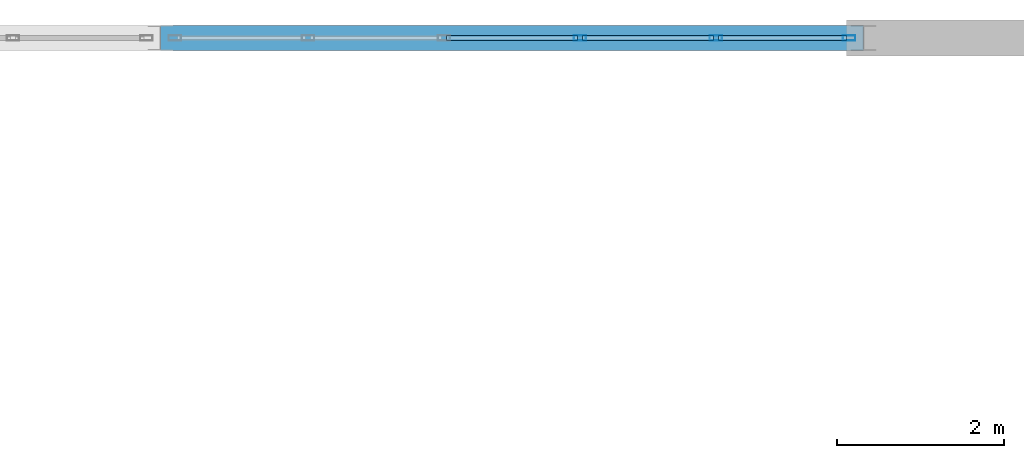
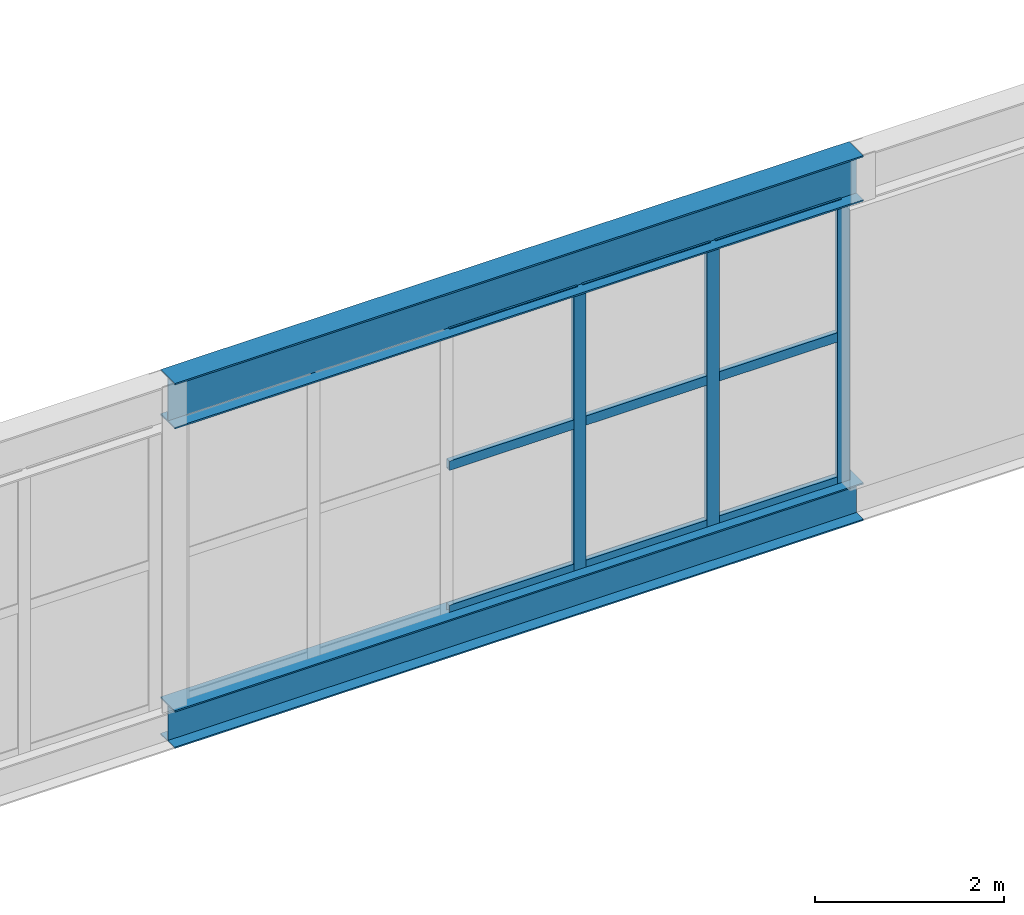
# One storey, part 167 of 218: 12 members, 2 beams, 1 element without a shape of its own.
"""IFC4 building model written with IfcOpenShell, lengths in metres."""

from ifc_helpers import new_model, si_unit, direction, frame, origin, origin_2d, place, context, subcontext, project, spatial, hollow_rectangle, i_section, extrude, material, material_profile, profile_set, type_object, element, aggregate, save


model = new_model("IFC4")

# Units and contexts
model_context = context("Model", 3, precision=1e-05, world=origin(), true_north=direction((0.0, 1.0)))
body_context = subcontext(model_context, "Body", "Model", "MODEL_VIEW")
ifc_project = project(units=[si_unit("LENGTHUNIT", "METRE"), si_unit("AREAUNIT", "SQUARE_METRE"), si_unit("VOLUMEUNIT", "CUBIC_METRE"), si_unit("PLANEANGLEUNIT", "RADIAN"), si_unit("MASSUNIT", "GRAM", prefix="KILO")], contexts=[model_context])

# Site, building, storey
site_placement = place(None, origin())
site = spatial("IfcSite", under=ifc_project, at=site_placement, CompositionType="ELEMENT")
building_placement = place(site_placement, origin())
building = spatial("IfcBuilding", under=site, at=building_placement, Name="Kazenagashi Tramway Depot", CompositionType="ELEMENT")
storey_placement = place(building_placement, frame((0.0, 0.0, 6.0)))
storey = spatial("IfcBuildingStorey", under=building, at=storey_placement, Name="L02", CompositionType="ELEMENT", Elevation=6.0)

# Curtain wall, members
ifc_material_1 = material(Name="Anodised Aluminium and Low-E Glazing", Category="aluminium")
curtain_wall_type = type_object("IfcCurtainWallType", Name="CW-15", PredefinedType="USERDEFINED", material=ifc_material_1)
curtain_wall_placement = place(storey_placement, origin())
curtain_wall = element("IfcCurtainWall", 1, at=curtain_wall_placement, inside=storey, type_object=curtain_wall_type, Name="Industrial Glazed Screen CW-15 CW-0074", ObjectType="GLAZED SCREEN", PredefinedType="USERDEFINED")
ifc_material_2 = material(Name="Anodised Aluminium", Category="aluminium")
ifc_material_profile_1 = material_profile(ifc_material_2, hollow_rectangle(XDim=0.06, YDim=0.15, WallThickness=0.004, at=origin_2d()), Name="RHS-150x60x4")
ifc_profile_set_1 = profile_set([ifc_material_profile_1], Name="Anodised Aluminium")
member_type_1 = type_object("IfcMemberType", Name="ML-01", PredefinedType="MULLION", material=ifc_profile_set_1)
member_1_placement = place(storey_placement, frame((108.612, 130.0, -0.02), z_axis=(0.0, 0.0, 1.0), x_axis=(0.0, 1.0, 0.0)))
member_1 = element("IfcMember", 2, at=member_1_placement, type_object=member_type_1, Name="CW-15 mullion 4", PredefinedType="MULLION", context=body_context, shape_type="SweptSolid", body=[
    extrude(hollow_rectangle(XDim=0.06, YDim=0.15, WallThickness=0.004, at=origin_2d()), origin(), (0.0, 0.0, 1.0), 3.632),
])
member_2_placement = place(storey_placement, frame((110.236, 130.0, -0.02), z_axis=(0.0, 0.0, 1.0), x_axis=(0.0, 1.0, 0.0)))
member_2 = element("IfcMember", 3, at=member_2_placement, type_object=member_type_1, Name="CW-15 mullion 5", PredefinedType="MULLION", context=body_context, shape_type="SweptSolid", body=[
    extrude(hollow_rectangle(XDim=0.06, YDim=0.15, WallThickness=0.004, at=origin_2d()), origin(), (0.0, 0.0, 1.0), 3.632),
])
member_3_placement = place(storey_placement, frame((111.83, 130.0, -0.02), z_axis=(0.0, 0.0, 1.0), x_axis=(0.0, 1.0, 0.0)))
member_3 = element("IfcMember", 4, at=member_3_placement, type_object=member_type_1, Name="CW-15 mullion 6", PredefinedType="MULLION", context=body_context, shape_type="SweptSolid", body=[
    extrude(hollow_rectangle(XDim=0.06, YDim=0.15, WallThickness=0.004, at=origin_2d()), origin(), (0.0, 0.0, 1.0), 3.632),
])

# Beams
ifc_material_3 = material(Name="Steel SN490B", Category="steel")
ifc_material_profile_2 = material_profile(ifc_material_3, i_section(OverallWidth=0.3, OverallDepth=0.588, WebThickness=0.012, FlangeThickness=0.02, at=origin_2d()), Name="H-588x300x12x20")
ifc_profile_set_2 = profile_set([ifc_material_profile_2], Name="Steel SN490B")
beam_type_1 = type_object("IfcBeamType", Name="SP-01", PredefinedType="SPANDREL", material=ifc_profile_set_2)
beam_1_placement = place(storey_placement, frame((103.6, 130.0, 3.906), z_axis=(1.0, 0.0, 0.0), x_axis=(0.0, 1.0, 0.0)))
element("IfcBeam", 5, at=beam_1_placement, inside=storey, type_object=beam_type_1, Name="Beam SP-01 BM-1887", PredefinedType="SPANDREL", context=body_context, shape_type="SweptSolid", body=[
    extrude(i_section(OverallWidth=0.3, OverallDepth=0.588, WebThickness=0.012, FlangeThickness=0.02, at=origin_2d()), origin(), (0.0, 0.0, 1.0), 8.4),
])
ifc_material_profile_3 = material_profile(ifc_material_3, i_section(OverallWidth=0.3, OverallDepth=0.488, WebThickness=0.011, FlangeThickness=0.018, at=origin_2d()), Name="H-488x300x11x18")
ifc_profile_set_3 = profile_set([ifc_material_profile_3], Name="Steel SN490B")
beam_type_2 = type_object("IfcBeamType", Name="SP-02", PredefinedType="SPANDREL", material=ifc_profile_set_3)
beam_2_placement = place(storey_placement, frame((103.6, 130.0, -0.264), z_axis=(1.0, 0.0, 0.0), x_axis=(0.0, 1.0, 0.0)))
element("IfcBeam", 6, at=beam_2_placement, inside=storey, type_object=beam_type_2, Name="Beam SP-02 BM-1831", PredefinedType="SPANDREL", context=body_context, shape_type="SweptSolid", body=[
    extrude(i_section(OverallWidth=0.3, OverallDepth=0.488, WebThickness=0.011, FlangeThickness=0.018, at=origin_2d()), origin(), (0.0, 0.0, 1.0), 8.4),
])

# Member
ifc_material_profile_4 = material_profile(ifc_material_2, hollow_rectangle(XDim=0.06, YDim=0.12, WallThickness=0.004, at=origin_2d()), Name="RHS-120x60x4")
ifc_profile_set_4 = profile_set([ifc_material_profile_4], Name="Anodised Aluminium")
member_type_2 = type_object("IfcMemberType", Name="TR-01", PredefinedType="USERDEFINED", material=ifc_profile_set_4)
member_4_placement = place(storey_placement, frame((107.018, 130.0, 0.01), z_axis=(1.0, 0.0, 0.0), x_axis=(0.0, 1.0, 0.0)))
member_4 = element("IfcMember", 7, at=member_4_placement, type_object=member_type_2, Name="CW-15 transom 3.1", ObjectType="TRANSOM", PredefinedType="USERDEFINED", context=body_context, shape_type="SweptSolid", body=[
    extrude(hollow_rectangle(XDim=0.06, YDim=0.12, WallThickness=0.004, at=origin_2d()), origin(), (0.0, 0.0, 1.0), 1.564),
])

member_5_placement = place(storey_placement, frame((107.018, 130.0, 1.869), z_axis=(1.0, 0.0, 0.0), x_axis=(0.0, 1.0, 0.0)))
member_5 = element("IfcMember", 8, at=member_5_placement, type_object=member_type_2, Name="CW-15 transom 3.2", ObjectType="TRANSOM", PredefinedType="USERDEFINED", context=body_context, shape_type="SweptSolid", body=[
    extrude(hollow_rectangle(XDim=0.06, YDim=0.12, WallThickness=0.004, at=origin_2d()), origin(), (0.0, 0.0, 1.0), 1.564),
])

member_6_placement = place(storey_placement, frame((107.018, 130.0, 3.582), z_axis=(1.0, 0.0, 0.0), x_axis=(0.0, 1.0, 0.0)))
member_6 = element("IfcMember", 9, at=member_6_placement, type_object=member_type_2, Name="CW-15 transom 3.3", ObjectType="TRANSOM", PredefinedType="USERDEFINED", context=body_context, shape_type="SweptSolid", body=[
    extrude(hollow_rectangle(XDim=0.06, YDim=0.12, WallThickness=0.004, at=origin_2d()), origin(), (0.0, 0.0, 1.0), 1.564),
])

member_7_placement = place(storey_placement, frame((108.642, 130.0, 0.01), z_axis=(1.0, 0.0, 0.0), x_axis=(0.0, 1.0, 0.0)))
member_7 = element("IfcMember", 10, at=member_7_placement, type_object=member_type_2, Name="CW-15 transom 4.1", ObjectType="TRANSOM", PredefinedType="USERDEFINED", context=body_context, shape_type="SweptSolid", body=[
    extrude(hollow_rectangle(XDim=0.06, YDim=0.12, WallThickness=0.004, at=origin_2d()), origin(), (0.0, 0.0, 1.0), 1.564),
])

member_8_placement = place(storey_placement, frame((108.642, 130.0, 1.869), z_axis=(1.0, 0.0, 0.0), x_axis=(0.0, 1.0, 0.0)))
member_8 = element("IfcMember", 11, at=member_8_placement, type_object=member_type_2, Name="CW-15 transom 4.2", ObjectType="TRANSOM", PredefinedType="USERDEFINED", context=body_context, shape_type="SweptSolid", body=[
    extrude(hollow_rectangle(XDim=0.06, YDim=0.12, WallThickness=0.004, at=origin_2d()), origin(), (0.0, 0.0, 1.0), 1.564),
])

member_9_placement = place(storey_placement, frame((108.642, 130.0, 3.582), z_axis=(1.0, 0.0, 0.0), x_axis=(0.0, 1.0, 0.0)))
member_9 = element("IfcMember", 12, at=member_9_placement, type_object=member_type_2, Name="CW-15 transom 4.3", ObjectType="TRANSOM", PredefinedType="USERDEFINED", context=body_context, shape_type="SweptSolid", body=[
    extrude(hollow_rectangle(XDim=0.06, YDim=0.12, WallThickness=0.004, at=origin_2d()), origin(), (0.0, 0.0, 1.0), 1.564),
])

member_10_placement = place(storey_placement, frame((110.266, 130.0, 0.01), z_axis=(1.0, 0.0, 0.0), x_axis=(0.0, 1.0, 0.0)))
member_10 = element("IfcMember", 13, at=member_10_placement, type_object=member_type_2, Name="CW-15 transom 5.1", ObjectType="TRANSOM", PredefinedType="USERDEFINED", context=body_context, shape_type="SweptSolid", body=[
    extrude(hollow_rectangle(XDim=0.06, YDim=0.12, WallThickness=0.004, at=origin_2d()), origin(), (0.0, 0.0, 1.0), 1.534),
])

member_11_placement = place(storey_placement, frame((110.266, 130.0, 1.869), z_axis=(1.0, 0.0, 0.0), x_axis=(0.0, 1.0, 0.0)))
member_11 = element("IfcMember", 14, at=member_11_placement, type_object=member_type_2, Name="CW-15 transom 5.2", ObjectType="TRANSOM", PredefinedType="USERDEFINED", context=body_context, shape_type="SweptSolid", body=[
    extrude(hollow_rectangle(XDim=0.06, YDim=0.12, WallThickness=0.004, at=origin_2d()), origin(), (0.0, 0.0, 1.0), 1.534),
])

member_12_placement = place(storey_placement, frame((110.266, 130.0, 3.582), z_axis=(1.0, 0.0, 0.0), x_axis=(0.0, 1.0, 0.0)))
member_12 = element("IfcMember", 15, at=member_12_placement, type_object=member_type_2, Name="CW-15 transom 5.3", ObjectType="TRANSOM", PredefinedType="USERDEFINED", context=body_context, shape_type="SweptSolid", body=[
    extrude(hollow_rectangle(XDim=0.06, YDim=0.12, WallThickness=0.004, at=origin_2d()), origin(), (0.0, 0.0, 1.0), 1.534),
])

aggregate(curtain_wall, [member_1, member_2, member_3, member_4, member_5, member_6, member_7, member_8, member_9, member_10, member_11, member_12])

save(model, "model.ifc")
